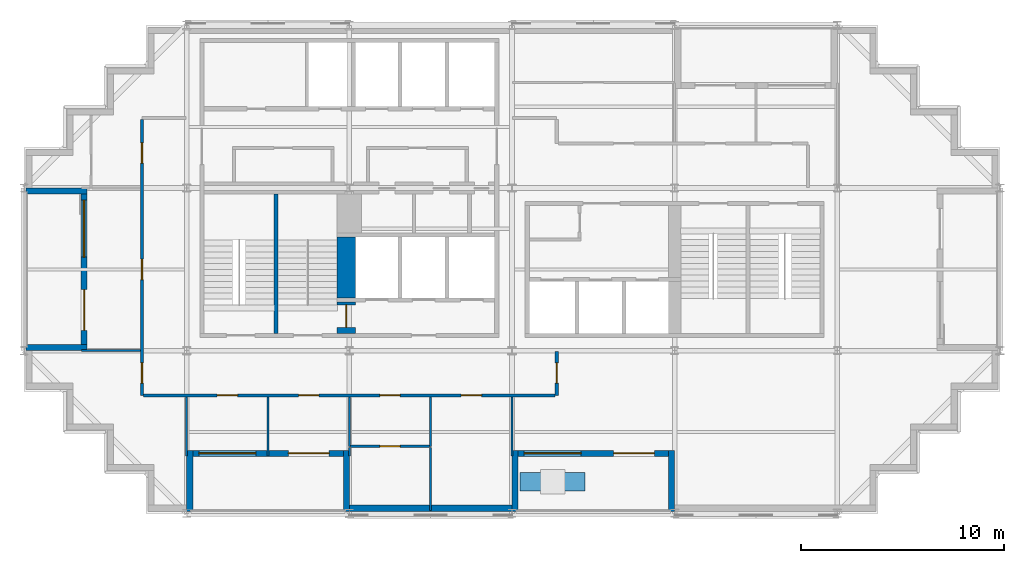
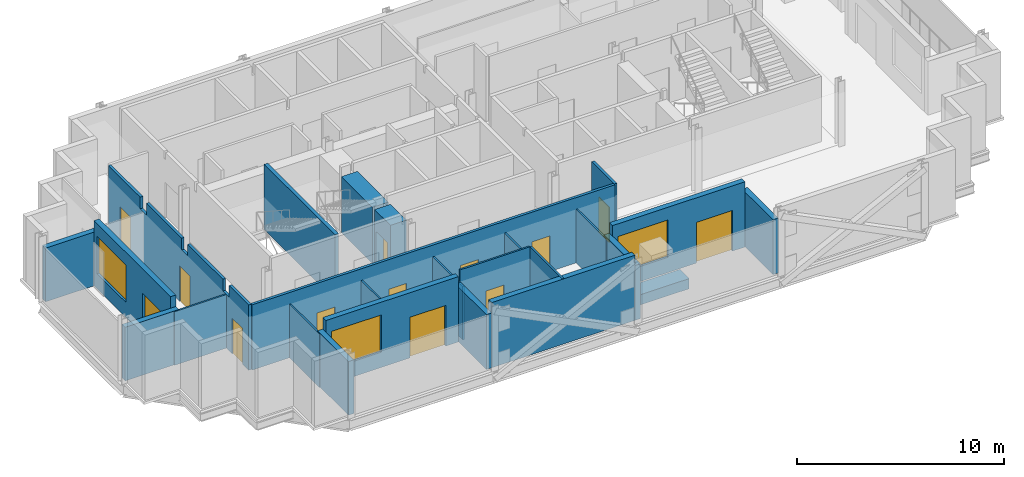
# One storey, part 4 of 10: 26 walls, 13 doors, 3 windows, 16 openings.
"""IFC4 building model written with IfcOpenShell, lengths in metres."""

from ifc_helpers import new_model, si_unit, direction, frame, frame_2d, origin, place, context, subcontext, project, spatial, polyline, rectangle, outline, extrude, material, layer, layer_set, type_object, element, fill, save


model = new_model("IFC4")

# Units and contexts
model_context = context("Model", 3, precision=1e-05, world=origin(), true_north=direction((0.0, 1.0)))
body_context = subcontext(model_context, "Body", "Model", "MODEL_VIEW")
ifc_project = project(units=[si_unit("LENGTHUNIT", "METRE"), si_unit("AREAUNIT", "SQUARE_METRE"), si_unit("VOLUMEUNIT", "CUBIC_METRE"), si_unit("PLANEANGLEUNIT", "RADIAN"), si_unit("MASSUNIT", "GRAM", prefix="KILO")], contexts=[model_context])

# Site, building, storey
site_placement = place(None, origin())
site = spatial("IfcSite", under=ifc_project, at=site_placement, CompositionType="ELEMENT")
building_placement = place(site_placement, origin())
building = spatial("IfcBuilding", under=site, at=building_placement, Name="Immortelle Media Tower", CompositionType="ELEMENT")
storey_placement = place(building_placement, frame((0.0, 0.0, 213.0)))
storey = spatial("IfcBuildingStorey", under=building, at=storey_placement, Name="L45", CompositionType="ELEMENT", Elevation=213.0)

# Wall, openings, doors
ifc_material_1 = material(Name="Fire-rated gypsum board", Category="gypsum")
ifc_layer_1 = layer(ifc_material_1, 0.012451171875)
ifc_material_2 = material(Name="Steel ASTM A653 SS Gr 50 stud frame with mineral wool", Category="steel")
ifc_layer_2 = layer(ifc_material_2, 0.125)
ifc_layer_3 = layer(ifc_material_1, 0.012451171875)
ifc_layer_set_1 = layer_set([ifc_layer_1, ifc_layer_2, ifc_layer_3], Name="Steel ASTM A653 SS Gr 50 stud frame with mineral wool")
wall_type_1 = type_object("IfcWallType", Name="Corridor wall 150", PredefinedType="PARTITIONING", material=ifc_layer_set_1)
wall_1_placement = place(storey_placement, frame((5.875, 5.800048828125, 0.0), z_axis=(0.0, 0.0, 1.0), x_axis=(1.0, 0.0, 0.0)))
wall_1 = element("IfcWall", 1, at=wall_1_placement, inside=storey, type_object=wall_type_1, Name="Partition L45-009", PredefinedType="PARTITIONING", context=body_context, shape_type="SweptSolid", body=[
    extrude(rectangle(XDim=20.25, YDim=0.14990234375, at=frame_2d((10.125, 0.0))), origin(), (0.0, 0.0, 1.0), 3.85009765625),
])
opening_1_placement = place(wall_1_placement, frame((12.625, 0.0, 0.0), z_axis=(0.0, 0.0, 1.0), x_axis=(-1.0, 0.0, 0.0)))
opening_1 = element("IfcOpeningElement", 2, at=opening_1_placement, cuts=wall_1, Name="Opening O3-F001", PredefinedType="OPENING", context=body_context, shape_type="SweptSolid", body=[
    extrude(rectangle(XDim=1.0, YDim=2.10009765625, at=frame_2d((0.5, 1.050048828125))), frame((0.0, 0.0849609375, 0.0), z_axis=(0.0, -1.0, 0.0), x_axis=(1.0, 0.0, 0.0)), (0.0, 0.0, 1.0), 0.169921875),
])
opening_2_placement = place(wall_1_placement, frame((16.625, 0.0, 0.0), z_axis=(0.0, 0.0, 1.0), x_axis=(-1.0, 0.0, 0.0)))
opening_2 = element("IfcOpeningElement", 3, at=opening_2_placement, cuts=wall_1, Name="Opening O3-F003", PredefinedType="OPENING", context=body_context, shape_type="SweptSolid", body=[
    extrude(rectangle(XDim=1.0, YDim=2.10009765625, at=frame_2d((0.5, 1.050048828125))), frame((0.0, 0.0849609375, 0.0), z_axis=(0.0, -1.0, 0.0), x_axis=(1.0, 0.0, 0.0)), (0.0, 0.0, 1.0), 0.169921875),
])
opening_3_placement = place(wall_1_placement, frame((4.625, 0.0, 0.0), z_axis=(0.0, 0.0, 1.0), x_axis=(-1.0, 0.0, 0.0)))
opening_3 = element("IfcOpeningElement", 4, at=opening_3_placement, cuts=wall_1, Name="Opening O3-F004", PredefinedType="OPENING", context=body_context, shape_type="SweptSolid", body=[
    extrude(rectangle(XDim=1.0, YDim=2.10009765625, at=frame_2d((0.5, 1.050048828125))), frame((0.0, 0.0849609375, 0.0), z_axis=(0.0, -1.0, 0.0), x_axis=(1.0, 0.0, 0.0)), (0.0, 0.0, 1.0), 0.169921875),
])
opening_4_placement = place(wall_1_placement, frame((8.625, 0.0, 0.0), z_axis=(0.0, 0.0, 1.0), x_axis=(-1.0, 0.0, 0.0)))
opening_4 = element("IfcOpeningElement", 5, at=opening_4_placement, cuts=wall_1, Name="Opening O3-F005", PredefinedType="OPENING", context=body_context, shape_type="SweptSolid", body=[
    extrude(rectangle(XDim=1.0, YDim=2.10009765625, at=frame_2d((0.5, 1.050048828125))), frame((0.0, 0.0849609375, 0.0), z_axis=(0.0, -1.0, 0.0), x_axis=(1.0, 0.0, 0.0)), (0.0, 0.0, 1.0), 0.169921875),
])
ifc_material_3 = material(Name="Timber veneered door leaf, galvanised steel frame ASTM A653", Category="steel")
door_type_1 = type_object("IfcDoorType", Name="Room door 1000 x 2100", OperationType="NOTDEFINED", PredefinedType="DOOR", material=ifc_material_3)
door_1_placement = place(opening_1_placement, origin())
door_1 = element("IfcDoor", 6, at=door_1_placement, inside=storey, type_object=door_type_1, Name="Door O3-F001", OperationType="SINGLE_SWING_RIGHT", OverallHeight=2.10009765625, OverallWidth=1.0, PredefinedType="DOOR", context=body_context, shape_type="SweptSolid", body=[
    extrude(rectangle(XDim=1.0, YDim=2.10009765625, at=frame_2d((0.5, 1.050048828125))), frame((0.0, 0.02490234375, 0.0), z_axis=(0.0, -1.0, 0.0), x_axis=(1.0, 0.0, 0.0)), (0.0, 0.0, 1.0), 0.050048828125),
])
fill(opening_1, door_1)
door_2_placement = place(opening_2_placement, origin())
door_2 = element("IfcDoor", 7, at=door_2_placement, inside=storey, type_object=door_type_1, Name="Door O3-F003", OperationType="SINGLE_SWING_RIGHT", OverallHeight=2.10009765625, OverallWidth=1.0, PredefinedType="DOOR", context=body_context, shape_type="SweptSolid", body=[
    extrude(rectangle(XDim=1.0, YDim=2.10009765625, at=frame_2d((0.5, 1.050048828125))), frame((0.0, 0.02490234375, 0.0), z_axis=(0.0, -1.0, 0.0), x_axis=(1.0, 0.0, 0.0)), (0.0, 0.0, 1.0), 0.050048828125),
])
fill(opening_2, door_2)
door_3_placement = place(opening_3_placement, origin())
door_3 = element("IfcDoor", 8, at=door_3_placement, inside=storey, type_object=door_type_1, Name="Door O3-F004", OperationType="SINGLE_SWING_RIGHT", OverallHeight=2.10009765625, OverallWidth=1.0, PredefinedType="DOOR", context=body_context, shape_type="SweptSolid", body=[
    extrude(rectangle(XDim=1.0, YDim=2.10009765625, at=frame_2d((0.5, 1.050048828125))), frame((0.0, 0.02490234375, 0.0), z_axis=(0.0, -1.0, 0.0), x_axis=(1.0, 0.0, 0.0)), (0.0, 0.0, 1.0), 0.050048828125),
])
fill(opening_3, door_3)
door_4_placement = place(opening_4_placement, origin())
door_4 = element("IfcDoor", 9, at=door_4_placement, inside=storey, type_object=door_type_1, Name="Door O3-F005", OperationType="SINGLE_SWING_RIGHT", OverallHeight=2.10009765625, OverallWidth=1.0, PredefinedType="DOOR", context=body_context, shape_type="SweptSolid", body=[
    extrude(rectangle(XDim=1.0, YDim=2.10009765625, at=frame_2d((0.5, 1.050048828125))), frame((0.0, 0.02490234375, 0.0), z_axis=(0.0, -1.0, 0.0), x_axis=(1.0, 0.0, 0.0)), (0.0, 0.0, 1.0), 0.050048828125),
])
fill(opening_4, door_4)

wall_2_placement = place(storey_placement, frame((5.800048828125, 5.800048828125, 0.0), z_axis=(0.0, 0.0, 1.0), x_axis=(0.0, 1.0, 0.0)))
wall_2 = element("IfcWall", 10, at=wall_2_placement, inside=storey, type_object=wall_type_1, Name="Partition L45-010", PredefinedType="PARTITIONING", context=body_context, shape_type="SweptSolid", body=[
    extrude(outline(polyline([(0.0, 0.0), (13.574951171875, 0.0), (13.574951171875, 3.85009765625), (10.5, 3.85009765625), (10.498046875, 3.156982421875), (9.902099609375, 3.156982421875), (9.89990234375, 3.85009765625), (6.5, 3.85009765625), (6.498046875, 3.156982421875), (5.902099609375, 3.156982421875), (5.89990234375, 3.85009765625), (2.5, 3.85009765625), (2.498046875, 3.156982421875), (1.902099609375, 3.156982421875), (1.89990234375, 3.85009765625), (0.0, 3.85009765625), (0.0, 0.0)])), frame((0.0, 0.074951171875, 0.0), z_axis=(0.0, -1.0, 0.0), x_axis=(1.0, 0.0, 0.0)), (0.0, 0.0, 1.0), 0.14990234375),
])
opening_5_placement = place(wall_2_placement, frame((0.60009765625, 0.0, 0.0)))
opening_5 = element("IfcOpeningElement", 11, at=opening_5_placement, cuts=wall_2, Name="Opening O3-F006", PredefinedType="OPENING", context=body_context, shape_type="SweptSolid", body=[
    extrude(rectangle(XDim=1.0, YDim=2.10009765625, at=frame_2d((0.5, 1.050048828125))), frame((0.0, 0.0849609375, 0.0), z_axis=(0.0, -1.0, 0.0), x_axis=(1.0, 0.0, 0.0)), (0.0, 0.0, 1.0), 0.169921875),
])
opening_6_placement = place(wall_2_placement, frame((5.699951171875, 0.0, 0.0)))
opening_6 = element("IfcOpeningElement", 12, at=opening_6_placement, cuts=wall_2, Name="Opening O3-F008", PredefinedType="OPENING", context=body_context, shape_type="SweptSolid", body=[
    extrude(rectangle(XDim=1.0, YDim=2.10009765625, at=frame_2d((0.5, 1.050048828125))), frame((0.0, 0.0849609375, 0.0), z_axis=(0.0, -1.0, 0.0), x_axis=(1.0, 0.0, 0.0)), (0.0, 0.0, 1.0), 0.169921875),
])
opening_7_placement = place(wall_2_placement, frame((11.425048828125, 0.0, 0.0)))
opening_7 = element("IfcOpeningElement", 13, at=opening_7_placement, cuts=wall_2, Name="Opening O3-F009", PredefinedType="OPENING", context=body_context, shape_type="SweptSolid", body=[
    extrude(rectangle(XDim=1.0, YDim=2.10009765625, at=frame_2d((0.5, 1.050048828125))), frame((0.0, 0.0849609375, 0.0), z_axis=(0.0, -1.0, 0.0), x_axis=(1.0, 0.0, 0.0)), (0.0, 0.0, 1.0), 0.169921875),
])
door_5_placement = place(opening_5_placement, origin())
door_5 = element("IfcDoor", 14, at=door_5_placement, inside=storey, type_object=door_type_1, Name="Door O3-F006", OperationType="SINGLE_SWING_RIGHT", OverallHeight=2.10009765625, OverallWidth=1.0, PredefinedType="DOOR", context=body_context, shape_type="SweptSolid", body=[
    extrude(rectangle(XDim=1.0, YDim=2.10009765625, at=frame_2d((0.5, 1.050048828125))), frame((0.0, 0.02490234375, 0.0), z_axis=(0.0, -1.0, 0.0), x_axis=(1.0, 0.0, 0.0)), (0.0, 0.0, 1.0), 0.050048828125),
])
fill(opening_5, door_5)
door_6_placement = place(opening_6_placement, origin())
door_6 = element("IfcDoor", 15, at=door_6_placement, inside=storey, type_object=door_type_1, Name="Door O3-F008", OperationType="SINGLE_SWING_RIGHT", OverallHeight=2.10009765625, OverallWidth=1.0, PredefinedType="DOOR", context=body_context, shape_type="SweptSolid", body=[
    extrude(rectangle(XDim=1.0, YDim=2.10009765625, at=frame_2d((0.5, 1.050048828125))), frame((0.0, 0.02490234375, 0.0), z_axis=(0.0, -1.0, 0.0), x_axis=(1.0, 0.0, 0.0)), (0.0, 0.0, 1.0), 0.050048828125),
])
fill(opening_6, door_6)
door_7_placement = place(opening_7_placement, origin())
door_7 = element("IfcDoor", 16, at=door_7_placement, inside=storey, type_object=door_type_1, Name="Door O3-F009", OperationType="SINGLE_SWING_LEFT", OverallHeight=2.10009765625, OverallWidth=1.0, PredefinedType="DOOR", context=body_context, shape_type="SweptSolid", body=[
    extrude(rectangle(XDim=1.0, YDim=2.10009765625, at=frame_2d((0.5, 1.050048828125))), frame((0.0, 0.02490234375, 0.0), z_axis=(0.0, -1.0, 0.0), x_axis=(1.0, 0.0, 0.0)), (0.0, 0.0, 1.0), 0.050048828125),
])
fill(opening_7, door_7)

# Wall, opening, door
wall_3_placement = place(storey_placement, frame((26.199951171875, 5.800048828125, 0.0), z_axis=(0.0, 0.0, 1.0), x_axis=(0.0, 1.0, 0.0)))
wall_3 = element("IfcWall", 17, at=wall_3_placement, inside=storey, type_object=wall_type_1, Name="Partition L45-011", PredefinedType="PARTITIONING", context=body_context, shape_type="SweptSolid", body=[
    extrude(rectangle(XDim=2.169921875, YDim=0.14990234375, at=frame_2d((1.0849609375, 0.0))), origin(), (0.0, 0.0, 1.0), 3.85009765625),
])
opening_8_placement = place(wall_3_placement, frame((1.60009765625, 0.0, 0.0), z_axis=(0.0, 0.0, 1.0), x_axis=(-1.0, 0.0, 0.0)))
opening_8 = element("IfcOpeningElement", 18, at=opening_8_placement, cuts=wall_3, Name="Opening O3-F007", PredefinedType="OPENING", context=body_context, shape_type="SweptSolid", body=[
    extrude(rectangle(XDim=1.0, YDim=2.10009765625, at=frame_2d((0.5, 1.050048828125))), frame((0.0, 0.0849609375, 0.0), z_axis=(0.0, -1.0, 0.0), x_axis=(1.0, 0.0, 0.0)), (0.0, 0.0, 1.0), 0.169921875),
])
door_8_placement = place(opening_8_placement, origin())
door_8 = element("IfcDoor", 19, at=door_8_placement, inside=storey, type_object=door_type_1, Name="Door O3-F007", OperationType="SINGLE_SWING_LEFT", OverallHeight=2.10009765625, OverallWidth=1.0, PredefinedType="DOOR", context=body_context, shape_type="SweptSolid", body=[
    extrude(rectangle(XDim=1.0, YDim=2.10009765625, at=frame_2d((0.5, 1.050048828125))), frame((0.0, 0.02490234375, 0.0), z_axis=(0.0, -1.0, 0.0), x_axis=(1.0, 0.0, 0.0)), (0.0, 0.0, 1.0), 0.050048828125),
])
fill(opening_8, door_8)

# Wall, openings, door, window
ifc_material_4 = material(Name="Pale aluminium cladding panel", Category="aluminium")
ifc_layer_4 = layer(ifc_material_4, 0.030029296875)
ifc_layer_5 = layer(ifc_material_2, 0.257568359375)
ifc_material_5 = material(Name="Moisture-resistant gypsum board", Category="gypsum")
ifc_layer_6 = layer(ifc_material_5, 0.012451171875)
ifc_layer_set_2 = layer_set([ifc_layer_4, ifc_layer_5, ifc_layer_6], Name="Steel ASTM A653 SS Gr 50 stud frame with mineral wool")
wall_type_2 = type_object("IfcWallType", Name="Facade wall 300", PredefinedType="SOLIDWALL", material=ifc_layer_set_2)
wall_4_placement = place(storey_placement, frame((8.300048828125, 2.949951171875, 0.0), z_axis=(0.0, 0.0, 1.0), x_axis=(1.0, 0.0, 0.0)))
wall_4 = element("IfcWall", 20, at=wall_4_placement, inside=storey, type_object=wall_type_2, Name="Loggia wall L45 S6", PredefinedType="SOLIDWALL", context=body_context, shape_type="SweptSolid", body=[
    extrude(rectangle(XDim=7.39990234375, YDim=0.300048828125, at=frame_2d((3.699951171875, 0.0))), origin(), (0.0, 0.0, 1.0), 3.85009765625),
])
opening_9_placement = place(wall_4_placement, frame((0.300048828125, 0.0, 0.89990234375)))
opening_9 = element("IfcOpeningElement", 21, at=opening_9_placement, cuts=wall_4, Name="Opening W1", PredefinedType="OPENING", context=body_context, shape_type="SweptSolid", body=[
    extrude(rectangle(XDim=2.800048828125, YDim=2.199951171875, at=frame_2d((1.39990234375, 1.10009765625))), frame((0.0, 0.159912109375, 0.0), z_axis=(0.0, -1.0, 0.0), x_axis=(1.0, 0.0, 0.0)), (0.0, 0.0, 1.0), 0.320068359375),
])
opening_10_placement = place(wall_4_placement, frame((4.699951171875, 0.0, 0.0)))
opening_10 = element("IfcOpeningElement", 22, at=opening_10_placement, cuts=wall_4, Name="Opening O3-E001", PredefinedType="OPENING", context=body_context, shape_type="SweptSolid", body=[
    extrude(rectangle(XDim=2.0, YDim=2.39990234375, at=frame_2d((1.0, 1.199951171875))), frame((0.0, 0.159912109375, 0.0), z_axis=(0.0, -1.0, 0.0), x_axis=(1.0, 0.0, 0.0)), (0.0, 0.0, 1.0), 0.320068359375),
])
ifc_material_6 = material(Name="Aluminium frame, glazed leaves", Category="aluminium")
door_type_2 = type_object("IfcDoorType", Name="Loggia door 2000 x 2400", OperationType="DOUBLE_DOOR_SINGLE_SWING", PredefinedType="DOOR", material=ifc_material_6)
door_9_placement = place(opening_10_placement, origin())
door_9 = element("IfcDoor", 23, at=door_9_placement, inside=storey, type_object=door_type_2, Name="Door O3-E001", OperationType="DOUBLE_DOOR_SINGLE_SWING", OverallHeight=2.39990234375, OverallWidth=2.0, PredefinedType="DOOR", context=body_context, shape_type="SweptSolid", body=[
    extrude(rectangle(XDim=2.0, YDim=2.39990234375, at=frame_2d((1.0, 1.199951171875))), frame((0.0, 0.02490234375, 0.0), z_axis=(0.0, -1.0, 0.0), x_axis=(1.0, 0.0, 0.0)), (0.0, 0.0, 1.0), 0.050048828125),
])
fill(opening_10, door_9)
ifc_material_7 = material(Name="Aluminium frame", Category="aluminium")
window_type = type_object("IfcWindowType", Name="Window 2800 x 2200", PartitioningType="SINGLE_PANEL", PredefinedType="WINDOW", material=ifc_material_7)
window_1_placement = place(opening_9_placement, origin())
window_1 = element("IfcWindow", 24, at=window_1_placement, inside=storey, type_object=window_type, Name="Window L45 L45-R6-B0", OverallHeight=2.199951171875, OverallWidth=2.800048828125, PartitioningType="SINGLE_PANEL", PredefinedType="WINDOW", context=body_context, shape_type="SweptSolid", body=[
    extrude(rectangle(XDim=2.800048828125, YDim=2.199951171875, at=frame_2d((1.39990234375, 1.10009765625))), frame((0.0, 0.030029296875, 0.0), z_axis=(0.0, -1.0, 0.0), x_axis=(1.0, 0.0, 0.0)), (0.0, 0.0, 1.0), 0.06005859375),
])
fill(opening_9, window_1)

# Walls
wall_5_placement = place(storey_placement, frame((8.14990234375, 0.10009765625, 0.0), z_axis=(0.0, 0.0, 1.0), x_axis=(0.0, 1.0, 0.0)))
element("IfcWall", 25, at=wall_5_placement, inside=storey, type_object=wall_type_2, Name="Loggia cheek wall L45 S", PredefinedType="SOLIDWALL", context=body_context, shape_type="SweptSolid", body=[
    extrude(rectangle(XDim=3.0, YDim=0.300048828125, at=frame_2d((1.5, 0.0))), origin(), (0.0, 0.0, 1.0), 3.1708984375),
])
wall_6_placement = place(storey_placement, frame((15.85009765625, 0.10009765625, 0.0), z_axis=(0.0, 0.0, 1.0), x_axis=(0.0, 1.0, 0.0)))
element("IfcWall", 26, at=wall_6_placement, inside=storey, type_object=wall_type_2, Name="Loggia cheek wall L45 S", PredefinedType="SOLIDWALL", context=body_context, shape_type="SweptSolid", body=[
    extrude(rectangle(XDim=3.0, YDim=0.300048828125, at=frame_2d((1.5, 0.0))), origin(), (0.0, 0.0, 1.0), 3.237060546875),
])
wall_7_placement = place(storey_placement, frame((16.0, 0.25, 0.0), z_axis=(0.0, 0.0, 1.0), x_axis=(1.0, 0.0, 0.0)))
element("IfcWall", 27, at=wall_7_placement, inside=storey, type_object=wall_type_2, Name="Facade wall L45 S6", PredefinedType="SOLIDWALL", context=body_context, shape_type="SweptSolid", body=[
    extrude(rectangle(XDim=8.0, YDim=0.300048828125, at=frame_2d((4.0, 0.0))), origin(), (0.0, 0.0, 1.0), 3.85009765625),
])

# Wall, openings, door, window
wall_8_placement = place(storey_placement, frame((24.300048828125, 2.949951171875, 0.0), z_axis=(0.0, 0.0, 1.0), x_axis=(1.0, 0.0, 0.0)))
wall_8 = element("IfcWall", 28, at=wall_8_placement, inside=storey, type_object=wall_type_2, Name="Loggia wall L45 S6", PredefinedType="SOLIDWALL", context=body_context, shape_type="SweptSolid", body=[
    extrude(rectangle(XDim=7.39990234375, YDim=0.300048828125, at=frame_2d((3.699951171875, 0.0))), origin(), (0.0, 0.0, 1.0), 3.85009765625),
])
opening_11_placement = place(wall_8_placement, frame((0.300048828125, 0.0, 0.89990234375)))
opening_11 = element("IfcOpeningElement", 29, at=opening_11_placement, cuts=wall_8, Name="Opening W1", PredefinedType="OPENING", context=body_context, shape_type="SweptSolid", body=[
    extrude(rectangle(XDim=2.800048828125, YDim=2.199951171875, at=frame_2d((1.39990234375, 1.10009765625))), frame((0.0, 0.159912109375, 0.0), z_axis=(0.0, -1.0, 0.0), x_axis=(1.0, 0.0, 0.0)), (0.0, 0.0, 1.0), 0.320068359375),
])
opening_12_placement = place(wall_8_placement, frame((4.699951171875, 0.0, 0.0)))
opening_12 = element("IfcOpeningElement", 30, at=opening_12_placement, cuts=wall_8, Name="Opening O3-E002", PredefinedType="OPENING", context=body_context, shape_type="SweptSolid", body=[
    extrude(rectangle(XDim=2.0, YDim=2.39990234375, at=frame_2d((1.0, 1.199951171875))), frame((0.0, 0.159912109375, 0.0), z_axis=(0.0, -1.0, 0.0), x_axis=(1.0, 0.0, 0.0)), (0.0, 0.0, 1.0), 0.320068359375),
])
door_10_placement = place(opening_12_placement, origin())
door_10 = element("IfcDoor", 31, at=door_10_placement, inside=storey, type_object=door_type_2, Name="Door O3-E002", OperationType="DOUBLE_DOOR_SINGLE_SWING", OverallHeight=2.39990234375, OverallWidth=2.0, PredefinedType="DOOR", context=body_context, shape_type="SweptSolid", body=[
    extrude(rectangle(XDim=2.0, YDim=2.39990234375, at=frame_2d((1.0, 1.199951171875))), frame((0.0, 0.02490234375, 0.0), z_axis=(0.0, -1.0, 0.0), x_axis=(1.0, 0.0, 0.0)), (0.0, 0.0, 1.0), 0.050048828125),
])
fill(opening_12, door_10)
window_2_placement = place(opening_11_placement, origin())
window_2 = element("IfcWindow", 32, at=window_2_placement, inside=storey, type_object=window_type, Name="Window L45 L45-R6-B2", OverallHeight=2.199951171875, OverallWidth=2.800048828125, PartitioningType="SINGLE_PANEL", PredefinedType="WINDOW", context=body_context, shape_type="SweptSolid", body=[
    extrude(rectangle(XDim=2.800048828125, YDim=2.199951171875, at=frame_2d((1.39990234375, 1.10009765625))), frame((0.0, 0.030029296875, 0.0), z_axis=(0.0, -1.0, 0.0), x_axis=(1.0, 0.0, 0.0)), (0.0, 0.0, 1.0), 0.06005859375),
])
fill(opening_11, window_2)

# Walls
for number, where, z_axis, x_axis, name in (
    (33, (24.14990234375, 0.10009765625, 0.0), (0.0, 0.0, 1.0), (0.0, 1.0, 0.0), "Loggia cheek wall L45 S"),
    (34, (31.85009765625, 0.10009765625, 0.0), (0.0, 0.0, 1.0), (0.0, 1.0, 0.0), "Loggia cheek wall L45 S"),
):
    element("IfcWall", number, at=place(storey_placement, frame(where, z_axis=z_axis, x_axis=x_axis)), inside=storey, type_object=wall_type_2, Name=name, PredefinedType="SOLIDWALL", context=body_context, shape_type="SweptSolid", body=[
        extrude(rectangle(XDim=3.0, YDim=0.300048828125, at=frame_2d((1.5, 0.0))), origin(), (0.0, 0.0, 1.0), 3.237060546875),
    ])

# Wall, openings, door, window
wall_9_placement = place(storey_placement, frame((2.949951171875, 15.699951171875, 0.0), z_axis=(0.0, 0.0, 1.0), x_axis=(0.0, -1.0, 0.0)))
wall_9 = element("IfcWall", 35, at=wall_9_placement, inside=storey, type_object=wall_type_2, Name="Loggia wall L45 W27", PredefinedType="SOLIDWALL", context=body_context, shape_type="SweptSolid", body=[
    extrude(rectangle(XDim=7.39990234375, YDim=0.300048828125, at=frame_2d((3.699951171875, 0.0))), origin(), (0.0, 0.0, 1.0), 3.85009765625),
])
opening_13_placement = place(wall_9_placement, frame((0.300048828125, 0.0, 0.89990234375)))
opening_13 = element("IfcOpeningElement", 36, at=opening_13_placement, cuts=wall_9, Name="Opening W1", PredefinedType="OPENING", context=body_context, shape_type="SweptSolid", body=[
    extrude(rectangle(XDim=2.800048828125, YDim=2.199951171875, at=frame_2d((1.39990234375, 1.10009765625))), frame((0.0, 0.159912109375, 0.0), z_axis=(0.0, -1.0, 0.0), x_axis=(1.0, 0.0, 0.0)), (0.0, 0.0, 1.0), 0.320068359375),
])
opening_14_placement = place(wall_9_placement, frame((4.699951171875, 0.0, 0.0)))
opening_14 = element("IfcOpeningElement", 37, at=opening_14_placement, cuts=wall_9, Name="Opening O3-E006", PredefinedType="OPENING", context=body_context, shape_type="SweptSolid", body=[
    extrude(rectangle(XDim=2.0, YDim=2.39990234375, at=frame_2d((1.0, 1.199951171875))), frame((0.0, 0.159912109375, 0.0), z_axis=(0.0, -1.0, 0.0), x_axis=(1.0, 0.0, 0.0)), (0.0, 0.0, 1.0), 0.320068359375),
])
door_11_placement = place(opening_14_placement, origin())
door_11 = element("IfcDoor", 38, at=door_11_placement, inside=storey, type_object=door_type_2, Name="Door O3-E006", OperationType="DOUBLE_DOOR_SINGLE_SWING", OverallHeight=2.39990234375, OverallWidth=2.0, PredefinedType="DOOR", context=body_context, shape_type="SweptSolid", body=[
    extrude(rectangle(XDim=2.0, YDim=2.39990234375, at=frame_2d((1.0, 1.199951171875))), frame((0.0, 0.02490234375, 0.0), z_axis=(0.0, -1.0, 0.0), x_axis=(1.0, 0.0, 0.0)), (0.0, 0.0, 1.0), 0.050048828125),
])
fill(opening_14, door_11)
window_3_placement = place(opening_13_placement, origin())
window_3 = element("IfcWindow", 39, at=window_3_placement, inside=storey, type_object=window_type, Name="Window L45 L45-R27-B0", OverallHeight=2.199951171875, OverallWidth=2.800048828125, PartitioningType="SINGLE_PANEL", PredefinedType="WINDOW", context=body_context, shape_type="SweptSolid", body=[
    extrude(rectangle(XDim=2.800048828125, YDim=2.199951171875, at=frame_2d((1.39990234375, 1.10009765625))), frame((0.0, 0.030029296875, 0.0), z_axis=(0.0, -1.0, 0.0), x_axis=(1.0, 0.0, 0.0)), (0.0, 0.0, 1.0), 0.06005859375),
])
fill(opening_13, window_3)

# Walls
for number, where, z_axis, x_axis, name in (
    (40, (0.10009765625, 15.85009765625, 0.0), (0.0, 0.0, 1.0), (1.0, 0.0, 0.0), "Loggia cheek wall L45 W"),
    (41, (0.10009765625, 8.14990234375, 0.0), (0.0, 0.0, 1.0), (1.0, 0.0, 0.0), "Loggia cheek wall L45 W"),
):
    element("IfcWall", number, at=place(storey_placement, frame(where, z_axis=z_axis, x_axis=x_axis)), inside=storey, type_object=wall_type_2, Name=name, PredefinedType="SOLIDWALL", context=body_context, shape_type="SweptSolid", body=[
        extrude(rectangle(XDim=3.0, YDim=0.300048828125, at=frame_2d((1.5, 0.0))), origin(), (0.0, 0.0, 1.0), 3.1708984375),
    ])
ifc_material_8 = material(Name="Gypsum board", Category="gypsum")
ifc_layer_7 = layer(ifc_material_8, 0.012451171875)
ifc_layer_8 = layer(ifc_material_2, 0.074951171875)
ifc_layer_9 = layer(ifc_material_8, 0.012451171875)
ifc_layer_set_3 = layer_set([ifc_layer_7, ifc_layer_8, ifc_layer_9], Name="Steel ASTM A653 SS Gr 50 stud frame with mineral wool")
wall_type_3 = type_object("IfcWallType", Name="Partition 100", PredefinedType="PARTITIONING", material=ifc_layer_set_3)
wall_10_placement = place(storey_placement, frame((20.0, 0.1298828125, 0.0), z_axis=(0.0, 0.0, 1.0), x_axis=(0.0, 1.0, 0.0)))
element("IfcWall", 42, at=wall_10_placement, inside=storey, type_object=wall_type_3, Name="Partition L45-001", PredefinedType="PARTITIONING", context=body_context, shape_type="SweptSolid", body=[
    extrude(rectangle(XDim=3.1201171875, YDim=0.10009765625, at=frame_2d((1.56005859375, 0.0))), origin(), (0.0, 0.0, 1.0), 3.85009765625),
])
for number, where, z_axis, x_axis, name in (
    (43, (8.0, 2.830078125, 0.0), (0.0, 0.0, 1.0), (0.0, 1.0, 0.0), "Partition L45-002"),
    (44, (12.0, 2.830078125, 0.0), (0.0, 0.0, 1.0), (0.0, 1.0, 0.0), "Partition L45-003"),
):
    element("IfcWall", number, at=place(storey_placement, frame(where, z_axis=z_axis, x_axis=x_axis)), inside=storey, type_object=wall_type_3, Name=name, PredefinedType="PARTITIONING", context=body_context, shape_type="SweptSolid", body=[
        extrude(rectangle(XDim=2.89501953125, YDim=0.10009765625, at=frame_2d((1.447509765625, 0.0))), origin(), (0.0, 0.0, 1.0), 3.156982421875),
    ])
wall_11_placement = place(storey_placement, frame((16.0, 2.830078125, 0.0), z_axis=(0.0, 0.0, 1.0), x_axis=(0.0, 1.0, 0.0)))
element("IfcWall", 45, at=wall_11_placement, inside=storey, type_object=wall_type_3, Name="Partition L45-004", PredefinedType="PARTITIONING", context=body_context, shape_type="SweptSolid", body=[
    extrude(rectangle(XDim=0.419921875, YDim=0.10009765625, at=frame_2d((0.2099609375, 0.0))), origin(), (0.0, 0.0, 1.0), 3.156982421875),
])
wall_12_placement = place(storey_placement, frame((24.0, 2.830078125, 0.0), z_axis=(0.0, 0.0, 1.0), x_axis=(0.0, 1.0, 0.0)))
element("IfcWall", 46, at=wall_12_placement, inside=storey, type_object=wall_type_3, Name="Partition L45-005", PredefinedType="PARTITIONING", context=body_context, shape_type="SweptSolid", body=[
    extrude(rectangle(XDim=2.89501953125, YDim=0.10009765625, at=frame_2d((1.447509765625, 0.0))), origin(), (0.0, 0.0, 1.0), 3.156982421875),
])

# Wall, opening, door
wall_13_placement = place(storey_placement, frame((16.050048828125, 3.300048828125, 0.0), z_axis=(0.0, 0.0, 1.0), x_axis=(1.0, 0.0, 0.0)))
wall_13 = element("IfcWall", 47, at=wall_13_placement, inside=storey, type_object=wall_type_3, Name="Partition L45-006", PredefinedType="PARTITIONING", context=body_context, shape_type="SweptSolid", body=[
    extrude(rectangle(XDim=3.89990234375, YDim=0.10009765625, at=frame_2d((1.949951171875, 0.0))), origin(), (0.0, 0.0, 1.0), 3.85009765625),
])
opening_15_placement = place(wall_13_placement, frame((1.449951171875, 0.0, 0.0)))
opening_15 = element("IfcOpeningElement", 48, at=opening_15_placement, cuts=wall_13, Name="Opening O3-F002", PredefinedType="OPENING", context=body_context, shape_type="SweptSolid", body=[
    extrude(rectangle(XDim=1.0, YDim=2.10009765625, at=frame_2d((0.5, 1.050048828125))), frame((0.0, 0.06005859375, 0.0), z_axis=(0.0, -1.0, 0.0), x_axis=(1.0, 0.0, 0.0)), (0.0, 0.0, 1.0), 0.1201171875),
])
door_12_placement = place(opening_15_placement, origin())
door_12 = element("IfcDoor", 49, at=door_12_placement, inside=storey, type_object=door_type_1, Name="Door O3-F002", OperationType="SINGLE_SWING_RIGHT", OverallHeight=2.10009765625, OverallWidth=1.0, PredefinedType="DOOR", context=body_context, shape_type="SweptSolid", body=[
    extrude(rectangle(XDim=1.0, YDim=2.10009765625, at=frame_2d((0.5, 1.050048828125))), frame((0.0, 0.02490234375, 0.0), z_axis=(0.0, -1.0, 0.0), x_axis=(1.0, 0.0, 0.0)), (0.0, 0.0, 1.0), 0.050048828125),
])
fill(opening_15, door_12)

# Walls
for number, where, z_axis, x_axis, name in (
    (50, (16.0, 3.300048828125, 0.0), (0.0, 0.0, 1.0), (0.0, 1.0, 0.0), "Partition L45-007"),
    (51, (20.0, 3.300048828125, 0.0), (0.0, 0.0, 1.0), (0.0, 1.0, 0.0), "Partition L45-008"),
):
    element("IfcWall", number, at=place(storey_placement, frame(where, z_axis=z_axis, x_axis=x_axis)), inside=storey, type_object=wall_type_3, Name=name, PredefinedType="PARTITIONING", context=body_context, shape_type="SweptSolid", body=[
        extrude(rectangle(XDim=2.425048828125, YDim=0.10009765625, at=frame_2d((1.21240234375, 0.0))), origin(), (0.0, 0.0, 1.0), 3.156982421875),
    ])
wall_14_placement = place(storey_placement, frame((2.830078125, 8.0, 0.0), z_axis=(0.0, 0.0, 1.0), x_axis=(1.0, 0.0, 0.0)))
element("IfcWall", 52, at=wall_14_placement, inside=storey, type_object=wall_type_3, Name="Partition L45-012", PredefinedType="PARTITIONING", context=body_context, shape_type="SweptSolid", body=[
    extrude(rectangle(XDim=2.89501953125, YDim=0.10009765625, at=frame_2d((1.447509765625, 0.0))), origin(), (0.0, 0.0, 1.0), 3.156982421875),
])
ifc_layer_10 = layer(ifc_material_4, 0.0029296875)
ifc_material_9 = material(Name="Steel ASTM A572 Gr 50 planter shell", Category="steel")
ifc_layer_11 = layer(ifc_material_9, 0.011962890625)
ifc_material_10 = material(Name="Planting substrate", Category="soil")
ifc_layer_12 = layer(ifc_material_10, 0.873046875)
ifc_layer_13 = layer(ifc_material_9, 0.011962890625)
ifc_layer_set_4 = layer_set([ifc_layer_10, ifc_layer_11, ifc_layer_12, ifc_layer_13], Name="Steel ASTM A572 Gr 50 planter shell")
wall_type_4 = type_object("IfcWallType", Name="Planter wall 900", PredefinedType="SOLIDWALL", material=ifc_layer_set_4)
wall_15_placement = place(storey_placement, frame((24.39990234375, 1.550048828125, 0.0), z_axis=(0.0, 0.0, 1.0), x_axis=(1.0, 0.0, 0.0)))
element("IfcWall", 53, at=wall_15_placement, inside=storey, type_object=wall_type_4, Name="Planter L45 S2", PredefinedType="SOLIDWALL", context=body_context, shape_type="SweptSolid", body=[
    extrude(rectangle(XDim=3.2001953125, YDim=0.89990234375, at=frame_2d((1.60009765625, 0.0))), origin(), (0.0, 0.0, 1.0), 0.60009765625),
])
ifc_material_11 = material(Name="Concrete C60", Category="concrete")
ifc_layer_14 = layer(ifc_material_11, 0.199951171875)
ifc_layer_set_5 = layer_set([ifc_layer_14], Name="Concrete C60")
wall_type_5 = type_object("IfcWallType", Name="Stair shaft wall 200", PredefinedType="PARTITIONING", material=ifc_layer_set_5)
wall_16_placement = place(storey_placement, frame((12.39990234375, 8.85009765625, 0.0), z_axis=(0.0, 0.0, 1.0), x_axis=(0.0, 1.0, 0.0)))
element("IfcWall", 54, at=wall_16_placement, inside=storey, type_object=wall_type_5, Name="Stair shaft wall SW", PredefinedType="PARTITIONING", context=body_context, shape_type="SweptSolid", body=[
    extrude(rectangle(XDim=6.849853515625, YDim=0.199951171875, at=frame_2d((3.4248046875, 0.0))), origin(), (0.0, 0.0, 1.0), 3.85009765625),
])

# Wall, opening, door
ifc_layer_15 = layer(ifc_material_11, 0.89990234375)
ifc_layer_set_6 = layer_set([ifc_layer_15], Name="Concrete C60")
wall_type_6 = type_object("IfcWallType", Name="Stair shaft wall 900", PredefinedType="PARTITIONING", material=ifc_layer_set_6)
wall_17_placement = place(storey_placement, frame((15.85009765625, 8.85009765625, 0.0), z_axis=(0.0, 0.0, 1.0), x_axis=(0.0, 1.0, 0.0)))
wall_17 = element("IfcWall", 55, at=wall_17_placement, inside=storey, type_object=wall_type_6, Name="Stair shaft wall SW", PredefinedType="PARTITIONING", context=body_context, shape_type="SweptSolid", body=[
    extrude(rectangle(XDim=1.5498046875, YDim=0.89990234375, at=frame_2d((0.77490234375, 0.0))), origin(), (0.0, 0.0, 1.0), 3.30810546875),
])
opening_16_placement = place(wall_17_placement, frame((0.300048828125, 0.0, 0.0)))
opening_16 = element("IfcOpeningElement", 56, at=opening_16_placement, cuts=wall_17, Name="Opening O3-K007", PredefinedType="OPENING", context=body_context, shape_type="SweptSolid", body=[
    extrude(rectangle(XDim=1.10009765625, YDim=2.10009765625, at=frame_2d((0.550048828125, 1.050048828125))), frame((0.0, 0.4599609375, 0.0), z_axis=(0.0, -1.0, 0.0), x_axis=(1.0, 0.0, 0.0)), (0.0, 0.0, 1.0), 0.919921875),
])
ifc_material_12 = material(Name="Galvanised steel door leaf and frame ASTM A653", Category="steel")
door_type_3 = type_object("IfcDoorType", Name="Stair lobby door 1100 x 2100", OperationType="NOTDEFINED", PredefinedType="NOTDEFINED", material=ifc_material_12)
door_13_placement = place(opening_16_placement, origin())
door_13 = element("IfcDoor", 57, at=door_13_placement, inside=storey, type_object=door_type_3, Name="Stair lobby O3-K007", OperationType="SINGLE_SWING_LEFT", OverallHeight=2.10009765625, OverallWidth=1.10009765625, PredefinedType="NOTDEFINED", context=body_context, shape_type="SweptSolid", body=[
    extrude(rectangle(XDim=1.10009765625, YDim=2.10009765625, at=frame_2d((0.550048828125, 1.050048828125))), frame((0.0, 0.02490234375, 0.0), z_axis=(0.0, -1.0, 0.0), x_axis=(1.0, 0.0, 0.0)), (0.0, 0.0, 1.0), 0.050048828125),
])
fill(opening_16, door_13)

# Wall
wall_18_placement = place(storey_placement, frame((15.85009765625, 10.60009765625, 0.0), z_axis=(0.0, 0.0, 1.0), x_axis=(0.0, 1.0, 0.0)))
element("IfcWall", 58, at=wall_18_placement, inside=storey, type_object=wall_type_6, Name="Stair shaft wall SW", PredefinedType="PARTITIONING", context=body_context, shape_type="SweptSolid", body=[
    extrude(rectangle(XDim=3.0, YDim=0.89990234375, at=frame_2d((1.5, 0.0))), origin(), (0.0, 0.0, 1.0), 3.30810546875),
])

save(model, "model.ifc")
